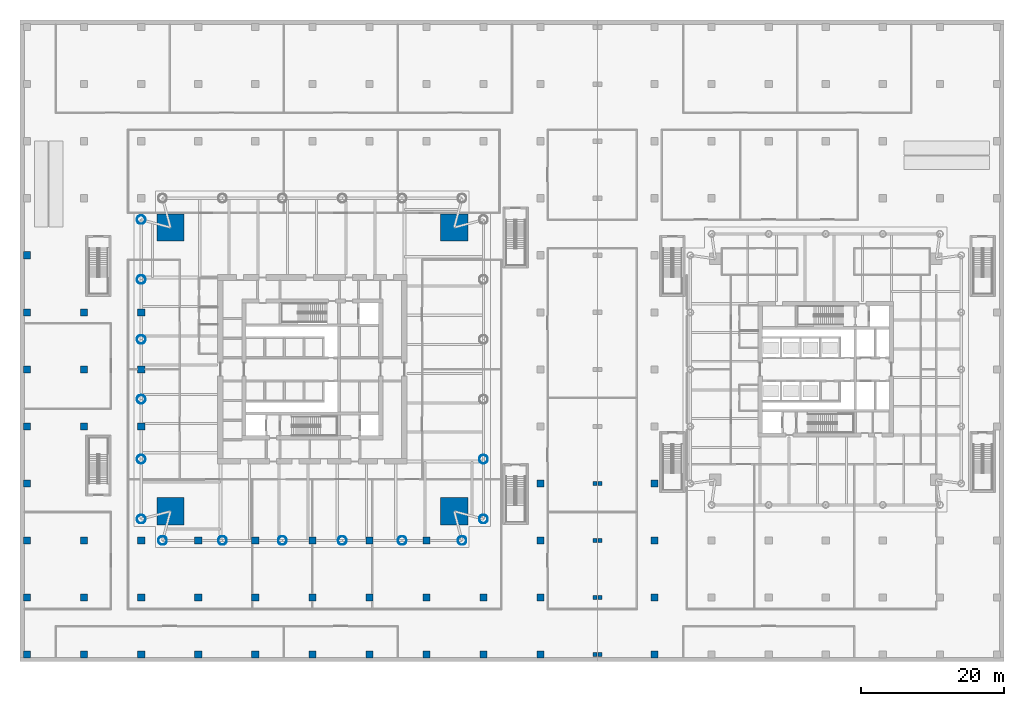
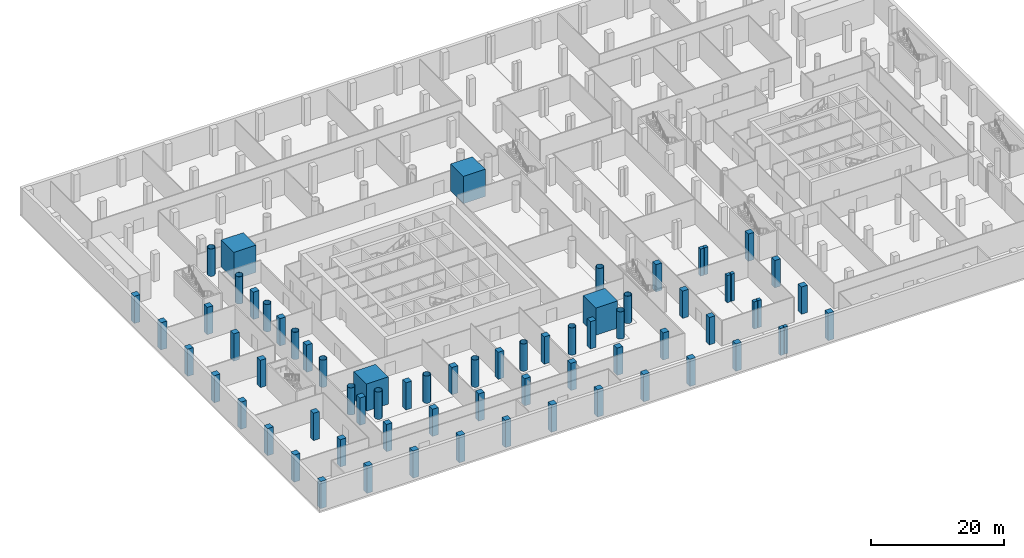
# One storey, part 1 of 22: 71 columns.
"""IFC4 building model written with IfcOpenShell, lengths in metres."""

import ifcopenshell
import ifcopenshell.guid

model = None  # the IFC model being written
_history = None  # IfcOwnerHistory: only IFC2X3 demands one
_inside = {}  # id of a spatial element -> (the spatial element, [elements in it])
_under = {}  # id of a project, library or spatial element -> (it, [spatial elements below it])
_declared = {}  # id of a project -> (the project, [libraries it declares])
_typed = {}  # id of a type object -> (the type object, [elements of that type])
_made_of = {}  # id of a material, layer set ... -> (it, [elements and type objects made of it])


def new_model(schema):
    """Start an empty IFC model of exactly this schema.

    Asked for "IFC4X3", IfcOpenShell would pick the latest addendum, in which some entities
    have other attributes; the version numbers below select the first issue.
    IFC2X3 requires an IfcOwnerHistory on every rooted entity: one is made here for all.
    """
    global model, _history
    if schema == "IFC4X3":
        model = ifcopenshell.file(schema_version=(4, 3, 0, 0))
    else:
        model = ifcopenshell.file(schema=schema)
    _inside.clear()
    _under.clear()
    _declared.clear()
    _typed.clear()
    _made_of.clear()
    _history = None
    if model.schema == "IFC2X3":
        org = make("IfcOrganization", Name="unknown")
        user = make(
            "IfcPersonAndOrganization",
            ThePerson=make("IfcPerson", FamilyName="unknown"),
            TheOrganization=org,
        )
        app = make(
            "IfcApplication",
            ApplicationDeveloper=org,
            Version="unknown",
            ApplicationFullName="unknown",
            ApplicationIdentifier="unknown",
        )
        _history = make(
            "IfcOwnerHistory",
            OwningUser=user,
            OwningApplication=app,
            ChangeAction="ADDED",
            CreationDate=0,
        )
    return model


def make(cls, **values):
    """One entity of the class cls with the attributes given. An attribute that is None is left unset."""
    return model.create_entity(
        cls, **{name: value for name, value in values.items() if value is not None}
    )


def rooted(cls, **values):
    """An entity with a GlobalId (a new one), such as an element, a storey or a relation."""
    return make(cls, GlobalId=ifcopenshell.guid.new(), OwnerHistory=_history, **values)


def si_unit(unit_type, name, prefix=None):
    """IfcSIUnit, for example si_unit("LENGTHUNIT", "METRE", prefix="MILLI")."""
    return make("IfcSIUnit", UnitType=unit_type, Prefix=prefix, Name=name)


def assignment(units):
    """IfcUnitAssignment: the units of a project."""
    return None if units is None else make("IfcUnitAssignment", Units=units)


def point(xyz):
    """IfcCartesianPoint."""
    return None if xyz is None else make("IfcCartesianPoint", Coordinates=xyz)


def direction(xyz):
    """IfcDirection."""
    return None if xyz is None else make("IfcDirection", DirectionRatios=xyz)


def frame(location, z_axis=None, x_axis=None):
    """IfcAxis2Placement3D, a coordinate frame: its origin and axes. An axis left out is left unset."""
    return make(
        "IfcAxis2Placement3D",
        Location=point(location),
        Axis=direction(z_axis),
        RefDirection=direction(x_axis),
    )


def frame_2d(location, x_axis=None):
    """IfcAxis2Placement2D, a coordinate frame in the plane: its origin and x axis."""
    return make(
        "IfcAxis2Placement2D", Location=point(location), RefDirection=direction(x_axis)
    )


def origin():
    """The frame at (0, 0, 0) with its axes left unset."""
    return frame((0.0, 0.0, 0.0))


def origin_2d():
    """The frame at (0, 0) in the plane with its x axis left unset."""
    return frame_2d((0.0, 0.0))


def place(relative_to, where):
    """IfcLocalPlacement: puts the frame where relative to a parent placement (None: the world)."""
    return make(
        "IfcLocalPlacement", PlacementRelTo=relative_to, RelativePlacement=where
    )


def context(
    kind, dimensions, precision=None, world=None, true_north=None, identifier=None
):
    """IfcGeometricRepresentationContext, for example the 3D "Model" context."""
    return make(
        "IfcGeometricRepresentationContext",
        ContextIdentifier=identifier,
        ContextType=kind,
        CoordinateSpaceDimension=dimensions,
        Precision=precision,
        WorldCoordinateSystem=world,
        TrueNorth=true_north,
    )


def subcontext(parent, identifier, kind, view, scale=None):
    """IfcGeometricRepresentationSubContext, for example "Body" below "Model"."""
    return make(
        "IfcGeometricRepresentationSubContext",
        ContextIdentifier=identifier,
        ContextType=kind,
        ParentContext=parent,
        TargetScale=scale,
        TargetView=view,
    )


def project(units=None, contexts=None):
    """IfcProject with its units and contexts."""
    return rooted(
        "IfcProject",
        Name="project",
        RepresentationContexts=contexts,
        UnitsInContext=assignment(units),
    )


def spatial(cls, under=None, at=None, **own):
    """A site, building, storey or space (cls), placed at a placement, below another one or the project."""
    s = rooted(cls, ObjectPlacement=at, **own)
    if under is not None:
        _under.setdefault(under.id(), (under, []))[1].append(s)
    return s


def profile(cls, at=None, kind="AREA", **sizes):
    """A parametric profile (cls). Its sizes go by their IFC names, for example OverallWidth=200.0."""
    return make(cls, ProfileType=kind, Position=at, **sizes)


def rectangle(**sizes):
    """IfcRectangleProfileDef."""
    return profile("IfcRectangleProfileDef", **sizes)


def hollow_circle(**sizes):
    """IfcCircleHollowProfileDef."""
    return profile("IfcCircleHollowProfileDef", **sizes)


def extrude(swept, where, along, depth):
    """IfcExtrudedAreaSolid: the profile swept, set in the frame where, extruded along a direction by depth."""
    return make(
        "IfcExtrudedAreaSolid",
        SweptArea=swept,
        Position=where,
        ExtrudedDirection=direction(along),
        Depth=depth,
    )


def shape(context_of_items, identifier, shape_type, items):
    """IfcShapeRepresentation: the items that make up one representation, for example the "Body"."""
    return make(
        "IfcShapeRepresentation",
        ContextOfItems=context_of_items,
        RepresentationIdentifier=identifier,
        RepresentationType=shape_type,
        Items=items,
    )


def material(Name=None, Category=None):
    """IfcMaterial."""
    return make("IfcMaterial", Name=Name, Category=Category)


def material_profile(
    of_material, cross_section, Name=None, Category=None, Priority=None
):
    """IfcMaterialProfile: a cross section and its material."""
    return make(
        "IfcMaterialProfile",
        Name=Name,
        Material=of_material,
        Profile=cross_section,
        Priority=Priority,
        Category=Category,
    )


def profile_set(profiles, Name=None, composite=None):
    """IfcMaterialProfileSet."""
    return make(
        "IfcMaterialProfileSet",
        Name=Name,
        MaterialProfiles=profiles,
        CompositeProfile=composite,
    )


def made_of(thing, what):
    """Note that an element or type object is made of a material, layer set ...; save() writes the relation."""
    if what is not None:
        _made_of.setdefault(what.id(), (what, []))[1].append(thing)
    return thing


def type_object(cls, material=None, **own):
    """A type object (cls), such as IfcWallType, which elements share."""
    return made_of(rooted(cls, **own), material)


def element(
    cls,
    number,
    at=None,
    inside=None,
    cuts=None,
    type_object=None,
    material=None,
    context=None,
    identifier="Body",
    shape_type=None,
    held_by="IfcProductDefinitionShape",
    body=None,
    shapes=None,
    **own,
):
    """One element of the class cls, such as IfcWall. Its Tag is "e" and its number.

    at: its placement. inside: the storey or other place that contains it. cuts: it is an
    opening in that element (IfcRelVoidsElement). A single representation is given by context,
    identifier, shape_type and body (its items); several are given by shapes. held_by: the class
    of the entity that holds the representations. save() writes the other relations.
    """
    e = rooted(cls, Tag="e%d" % number, ObjectPlacement=at, **own)
    if body is not None:
        shapes = [shape(context, identifier, shape_type, body)]
    if shapes is not None:
        e.Representation = make(held_by, Representations=shapes)
    if inside is not None:
        _inside.setdefault(inside.id(), (inside, []))[1].append(e)
    if cuts is not None:
        rooted(
            "IfcRelVoidsElement", RelatingBuildingElement=cuts, RelatedOpeningElement=e
        )
    if type_object is not None:
        _typed.setdefault(type_object.id(), (type_object, []))[1].append(e)
    return made_of(e, material)


def aggregate(whole, parts):
    """IfcRelAggregates: a whole, such as a stair, and the parts it consists of."""
    return rooted("IfcRelAggregates", RelatingObject=whole, RelatedObjects=parts)


def save(model, path):
    """Write the relations noted so far, then the file.

    IfcRelAggregates (storeys below a building ...), IfcRelContainedInSpatialStructure (elements
    in a storey), IfcRelDefinesByType, IfcRelAssociatesMaterial and IfcRelDeclares: one each for
    every whole, place, type object, material and project.
    """
    for whole, parts in _under.values():
        aggregate(whole, parts)
    for where, things in _inside.values():
        rooted(
            "IfcRelContainedInSpatialStructure",
            RelatedElements=things,
            RelatingStructure=where,
        )
    for kind, things in _typed.values():
        rooted("IfcRelDefinesByType", RelatedObjects=things, RelatingType=kind)
    for what, things in _made_of.values():
        rooted("IfcRelAssociatesMaterial", RelatedObjects=things, RelatingMaterial=what)
    for by, libraries in _declared.values():
        rooted("IfcRelDeclares", RelatingContext=by, RelatedDefinitions=libraries)
    model.write(path)


model = new_model("IFC4")

# Units and contexts
model_context = context("Model", 3, precision=1e-05, world=origin(), true_north=direction((0.0, 1.0)))
body_context = subcontext(model_context, "Body", "Model", "MODEL_VIEW")
ifc_project = project(units=[si_unit("LENGTHUNIT", "METRE"), si_unit("AREAUNIT", "SQUARE_METRE"), si_unit("VOLUMEUNIT", "CUBIC_METRE"), si_unit("PLANEANGLEUNIT", "RADIAN"), si_unit("MASSUNIT", "GRAM", prefix="KILO")], contexts=[model_context])

# Site, building, storey
site_placement = place(None, origin())
site = spatial("IfcSite", under=ifc_project, at=site_placement, CompositionType="ELEMENT")
building_placement = place(site_placement, origin())
building = spatial("IfcBuilding", under=site, at=building_placement, Name="Ostroluk Exchange", CompositionType="ELEMENT")
storey_placement = place(building_placement, frame((0.0, 0.0, -5.0)))
storey = spatial("IfcBuildingStorey", under=building, at=storey_placement, Name="B1", CompositionType="ELEMENT", Elevation=-5.0)

# Columns
ifc_material_1 = material(Name="Concrete C50/60", Category="concrete")
ifc_material_profile_1 = material_profile(ifc_material_1, rectangle(XDim=3.800048828125, YDim=3.800048828125, at=origin_2d()), Name="RC 3800x3800")
ifc_profile_set_1 = profile_set([ifc_material_profile_1], Name="Concrete C50/60")
column_type_1 = type_object("IfcColumnType", Name="Mega column RC 3800x3800", PredefinedType="COLUMN", material=ifc_profile_set_1)
for number, where, z_axis, x_axis, name in (
    (1, (64.89990234375, 65.89990234375, 0.0), (0.0, 0.0, 1.0), (1.0, 0.0, 0.0), "T1 mega column NE"),
    (2, (25.10009765625, 65.89990234375, 0.0), (0.0, 0.0, 1.0), (1.0, 0.0, 0.0), "T1 mega column NW"),
    (3, (25.10009765625, 26.10009765625, 0.0), (0.0, 0.0, 1.0), (1.0, 0.0, 0.0), "T1 mega column SW"),
    (4, (64.89990234375, 26.10009765625, 0.0), (0.0, 0.0, 1.0), (1.0, 0.0, 0.0), "T1 mega column SE"),
):
    element("IfcColumn", number, at=place(storey_placement, frame(where, z_axis=z_axis, x_axis=x_axis)), inside=storey, type_object=column_type_1, Name=name, PredefinedType="COLUMN", context=body_context, shape_type="SweptSolid", body=[
        extrude(rectangle(XDim=3.800048828125, YDim=3.800048828125, at=origin_2d()), origin(), (0.0, 0.0, 1.0), 5.0),
    ])
ifc_material_2 = material(Name="Steel S460", Category="steel")
ifc_material_profile_2 = material_profile(ifc_material_2, hollow_circle(Radius=0.609619140625, WallThickness=0.0400390625, at=origin_2d()), Name="CHS 1219x40")
ifc_profile_set_2 = profile_set([ifc_material_profile_2], Name="Steel S460")
column_type_2 = type_object("IfcColumnType", Name="Perimeter column CHS 1219x40", PredefinedType="COLUMN", material=ifc_profile_set_2)
for number, where, z_axis, x_axis, name in (
    (5, (69.0, 25.0, 0.0), (0.0, 0.0, 1.0), (1.0, 0.0, 0.0), "T1 east face column E0"),
    (6, (69.0, 33.39990234375, 0.0), (0.0, 0.0, 1.0), (1.0, 0.0, 0.0), "T1 east face column I1"),
    (7, (21.0, 67.0, 0.0), (0.0, 0.0, 1.0), (1.0, 0.0, 0.0), "T1 west face column E0"),
    (8, (21.0, 25.0, 0.0), (0.0, 0.0, 1.0), (1.0, 0.0, 0.0), "T1 west face column E1"),
    (9, (21.0, 58.60009765625, 0.0), (0.0, 0.0, 1.0), (1.0, 0.0, 0.0), "T1 west face column I1"),
    (10, (21.0, 50.199951171875, 0.0), (0.0, 0.0, 1.0), (1.0, 0.0, 0.0), "T1 west face column I2"),
    (11, (21.0, 41.800048828125, 0.0), (0.0, 0.0, 1.0), (1.0, 0.0, 0.0), "T1 west face column I3"),
    (12, (21.0, 33.39990234375, 0.0), (0.0, 0.0, 1.0), (1.0, 0.0, 0.0), "T1 west face column I4"),
    (13, (24.0, 22.0, 0.0), (0.0, 0.0, 1.0), (1.0, 0.0, 0.0), "T1 south face column E0"),
    (14, (66.0, 22.0, 0.0), (0.0, 0.0, 1.0), (1.0, 0.0, 0.0), "T1 south face column E1"),
    (15, (32.39990234375, 22.0, 0.0), (0.0, 0.0, 1.0), (1.0, 0.0, 0.0), "T1 south face column I1"),
    (16, (40.800048828125, 22.0, 0.0), (0.0, 0.0, 1.0), (1.0, 0.0, 0.0), "T1 south face column I2"),
    (17, (49.199951171875, 22.0, 0.0), (0.0, 0.0, 1.0), (1.0, 0.0, 0.0), "T1 south face column I3"),
    (18, (57.60009765625, 22.0, 0.0), (0.0, 0.0, 1.0), (1.0, 0.0, 0.0), "T1 south face column I4"),
):
    element("IfcColumn", number, at=place(storey_placement, frame(where, z_axis=z_axis, x_axis=x_axis)), inside=storey, type_object=column_type_2, Name=name, PredefinedType="COLUMN", context=body_context, shape_type="SweptSolid", body=[
        extrude(hollow_circle(Radius=0.609619140625, WallThickness=0.0400390625, at=origin_2d()), origin(), (0.0, 0.0, 1.0), 5.0),
    ])
ifc_material_3 = material(Name="Concrete C50/60", Category="concrete")
ifc_material_profile_3 = material_profile(ifc_material_3, rectangle(XDim=1.0, YDim=1.0, at=origin_2d()), Name="RC 1000x1000")
ifc_profile_set_3 = profile_set([ifc_material_profile_3], Name="Concrete C50/60")
column_type_3 = type_object("IfcColumnType", Name="Podium column RC 1000x1000", PredefinedType="COLUMN", material=ifc_profile_set_3)
for number, where, z_axis, x_axis, name in (
    (19, (5.0, 6.0, 0.0), (0.0, 0.0, 1.0), (1.0, 0.0, 0.0), "Podium column 5/6"),
    (20, (5.0, 14.0, 0.0), (0.0, 0.0, 1.0), (1.0, 0.0, 0.0), "Podium column 5/14"),
    (21, (5.0, 22.0, 0.0), (0.0, 0.0, 1.0), (1.0, 0.0, 0.0), "Podium column 5/22"),
    (22, (5.0, 30.0, 0.0), (0.0, 0.0, 1.0), (1.0, 0.0, 0.0), "Podium column 5/30"),
    (23, (5.0, 38.0, 0.0), (0.0, 0.0, 1.0), (1.0, 0.0, 0.0), "Podium column 5/38"),
    (24, (5.0, 46.0, 0.0), (0.0, 0.0, 1.0), (1.0, 0.0, 0.0), "Podium column 5/46"),
    (25, (5.0, 54.0, 0.0), (0.0, 0.0, 1.0), (1.0, 0.0, 0.0), "Podium column 5/54"),
    (26, (5.0, 62.0, 0.0), (0.0, 0.0, 1.0), (1.0, 0.0, 0.0), "Podium column 5/62"),
    (27, (13.0, 6.0, 0.0), (0.0, 0.0, 1.0), (1.0, 0.0, 0.0), "Podium column 13/6"),
    (28, (13.0, 14.0, 0.0), (0.0, 0.0, 1.0), (1.0, 0.0, 0.0), "Podium column 13/14"),
    (29, (13.0, 22.0, 0.0), (0.0, 0.0, 1.0), (1.0, 0.0, 0.0), "Podium column 13/22"),
    (30, (13.0, 38.0, 0.0), (0.0, 0.0, 1.0), (1.0, 0.0, 0.0), "Podium column 13/38"),
    (31, (13.0, 46.0, 0.0), (0.0, 0.0, 1.0), (1.0, 0.0, 0.0), "Podium column 13/46"),
    (32, (13.0, 54.0, 0.0), (0.0, 0.0, 1.0), (1.0, 0.0, 0.0), "Podium column 13/54"),
    (33, (21.0, 6.0, 0.0), (0.0, 0.0, 1.0), (1.0, 0.0, 0.0), "Podium column 21/6"),
    (34, (21.0, 14.0, 0.0), (0.0, 0.0, 1.0), (1.0, 0.0, 0.0), "Podium column 21/14"),
    (35, (29.0, 6.0, 0.0), (0.0, 0.0, 1.0), (1.0, 0.0, 0.0), "Podium column 29/6"),
    (36, (29.0, 14.0, 0.0), (0.0, 0.0, 1.0), (1.0, 0.0, 0.0), "Podium column 29/14"),
    (37, (37.0, 6.0, 0.0), (0.0, 0.0, 1.0), (1.0, 0.0, 0.0), "Podium column 37/6"),
    (38, (37.0, 14.0, 0.0), (0.0, 0.0, 1.0), (1.0, 0.0, 0.0), "Podium column 37/14"),
    (39, (45.0, 6.0, 0.0), (0.0, 0.0, 1.0), (1.0, 0.0, 0.0), "Podium column 45/6"),
    (40, (45.0, 14.0, 0.0), (0.0, 0.0, 1.0), (1.0, 0.0, 0.0), "Podium column 45/14"),
    (41, (53.0, 6.0, 0.0), (0.0, 0.0, 1.0), (1.0, 0.0, 0.0), "Podium column 53/6"),
    (42, (53.0, 14.0, 0.0), (0.0, 0.0, 1.0), (1.0, 0.0, 0.0), "Podium column 53/14"),
    (43, (61.0, 6.0, 0.0), (0.0, 0.0, 1.0), (1.0, 0.0, 0.0), "Podium column 61/6"),
    (44, (61.0, 14.0, 0.0), (0.0, 0.0, 1.0), (1.0, 0.0, 0.0), "Podium column 61/14"),
    (45, (69.0, 6.0, 0.0), (0.0, 0.0, 1.0), (1.0, 0.0, 0.0), "Podium column 69/6"),
    (46, (69.0, 14.0, 0.0), (0.0, 0.0, 1.0), (1.0, 0.0, 0.0), "Podium column 69/14"),
    (47, (77.0, 6.0, 0.0), (0.0, 0.0, 1.0), (1.0, 0.0, 0.0), "Podium column 77/6"),
    (48, (77.0, 14.0, 0.0), (0.0, 0.0, 1.0), (1.0, 0.0, 0.0), "Podium column 77/14"),
    (49, (77.0, 22.0, 0.0), (0.0, 0.0, 1.0), (1.0, 0.0, 0.0), "Podium column 77/22"),
    (50, (77.0, 30.0, 0.0), (0.0, 0.0, 1.0), (1.0, 0.0, 0.0), "Podium column 77/30"),
    (51, (93.0, 6.0, 0.0), (0.0, 0.0, 1.0), (1.0, 0.0, 0.0), "Podium column 93/6"),
    (52, (93.0, 14.0, 0.0), (0.0, 0.0, 1.0), (1.0, 0.0, 0.0), "Podium column 93/14"),
    (53, (93.0, 22.0, 0.0), (0.0, 0.0, 1.0), (1.0, 0.0, 0.0), "Podium column 93/22"),
    (54, (93.0, 30.0, 0.0), (0.0, 0.0, 1.0), (1.0, 0.0, 0.0), "Podium column 93/30"),
    (55, (21.0, 22.0, 0.0), (0.0, 0.0, 1.0), (1.0, 0.0, 0.0), "Podium column 21/22"),
    (56, (29.0, 22.0, 0.0), (0.0, 0.0, 1.0), (1.0, 0.0, 0.0), "Podium column 29/22"),
    (57, (37.0, 22.0, 0.0), (0.0, 0.0, 1.0), (1.0, 0.0, 0.0), "Podium column 37/22"),
    (58, (45.0, 22.0, 0.0), (0.0, 0.0, 1.0), (1.0, 0.0, 0.0), "Podium column 45/22"),
    (59, (53.0, 22.0, 0.0), (0.0, 0.0, 1.0), (1.0, 0.0, 0.0), "Podium column 53/22"),
    (60, (61.0, 22.0, 0.0), (0.0, 0.0, 1.0), (1.0, 0.0, 0.0), "Podium column 61/22"),
    (61, (21.0, 38.0, 0.0), (0.0, 0.0, 1.0), (1.0, 0.0, 0.0), "Podium column 21/38"),
    (62, (21.0, 46.0, 0.0), (0.0, 0.0, 1.0), (1.0, 0.0, 0.0), "Podium column 21/46"),
    (63, (21.0, 54.0, 0.0), (0.0, 0.0, 1.0), (1.0, 0.0, 0.0), "Podium column 21/54"),
):
    element("IfcColumn", number, at=place(storey_placement, frame(where, z_axis=z_axis, x_axis=x_axis)), inside=storey, type_object=column_type_3, Name=name, PredefinedType="COLUMN", context=body_context, shape_type="SweptSolid", body=[
        extrude(rectangle(XDim=1.0, YDim=1.0, at=origin_2d()), origin(), (0.0, 0.0, 1.0), 5.0),
    ])
ifc_material_4 = material(Name="Concrete C50/60", Category="concrete")
ifc_material_profile_4 = material_profile(ifc_material_4, rectangle(XDim=0.60009765625, YDim=0.60009765625, at=origin_2d()), Name="RC 600x600")
ifc_profile_set_4 = profile_set([ifc_material_profile_4], Name="Concrete C50/60")
column_type_4 = type_object("IfcColumnType", Name="Podium column RC 600x600", PredefinedType="COLUMN", material=ifc_profile_set_4)
for number, where, z_axis, x_axis, name in (
    (64, (84.64990234375, 6.0, 0.0), (0.0, 0.0, 1.0), (1.0, 0.0, 0.0), "Podium column 85W/6"),
    (65, (85.35009765625, 6.0, 0.0), (0.0, 0.0, 1.0), (1.0, 0.0, 0.0), "Podium column 85E/6"),
    (66, (84.64990234375, 14.0, 0.0), (0.0, 0.0, 1.0), (1.0, 0.0, 0.0), "Podium column 85W/14"),
    (67, (85.35009765625, 14.0, 0.0), (0.0, 0.0, 1.0), (1.0, 0.0, 0.0), "Podium column 85E/14"),
    (68, (84.64990234375, 22.0, 0.0), (0.0, 0.0, 1.0), (1.0, 0.0, 0.0), "Podium column 85W/22"),
    (69, (85.35009765625, 22.0, 0.0), (0.0, 0.0, 1.0), (1.0, 0.0, 0.0), "Podium column 85E/22"),
    (70, (84.64990234375, 30.0, 0.0), (0.0, 0.0, 1.0), (1.0, 0.0, 0.0), "Podium column 85W/30"),
    (71, (85.35009765625, 30.0, 0.0), (0.0, 0.0, 1.0), (1.0, 0.0, 0.0), "Podium column 85E/30"),
):
    element("IfcColumn", number, at=place(storey_placement, frame(where, z_axis=z_axis, x_axis=x_axis)), inside=storey, type_object=column_type_4, Name=name, PredefinedType="COLUMN", context=body_context, shape_type="SweptSolid", body=[
        extrude(rectangle(XDim=0.60009765625, YDim=0.60009765625, at=origin_2d()), origin(), (0.0, 0.0, 1.0), 5.0),
    ])

save(model, "model.ifc")
